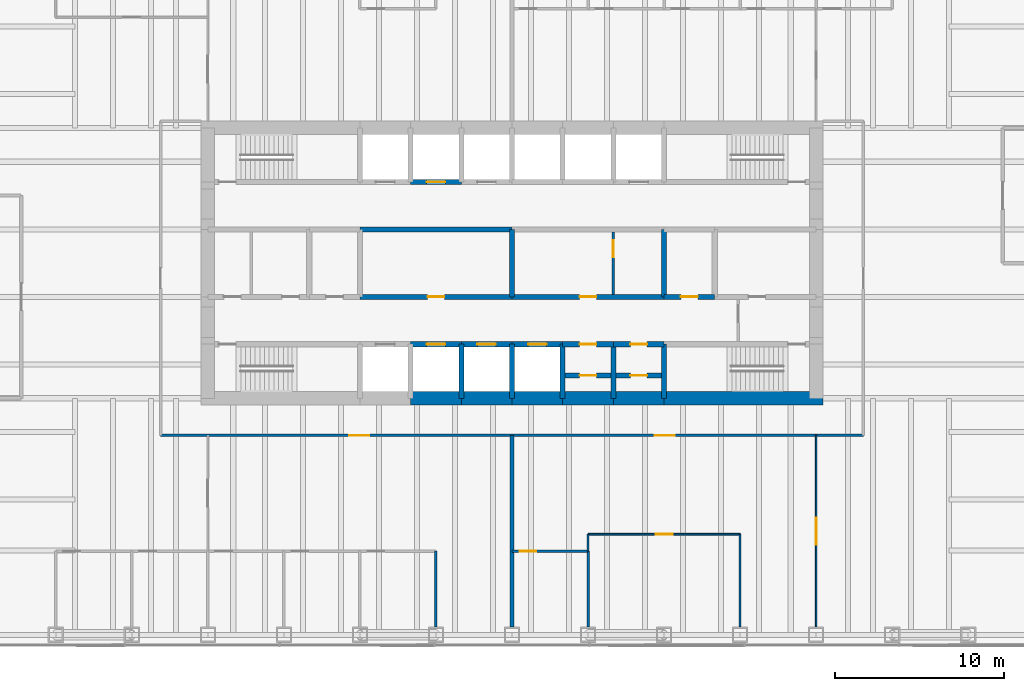
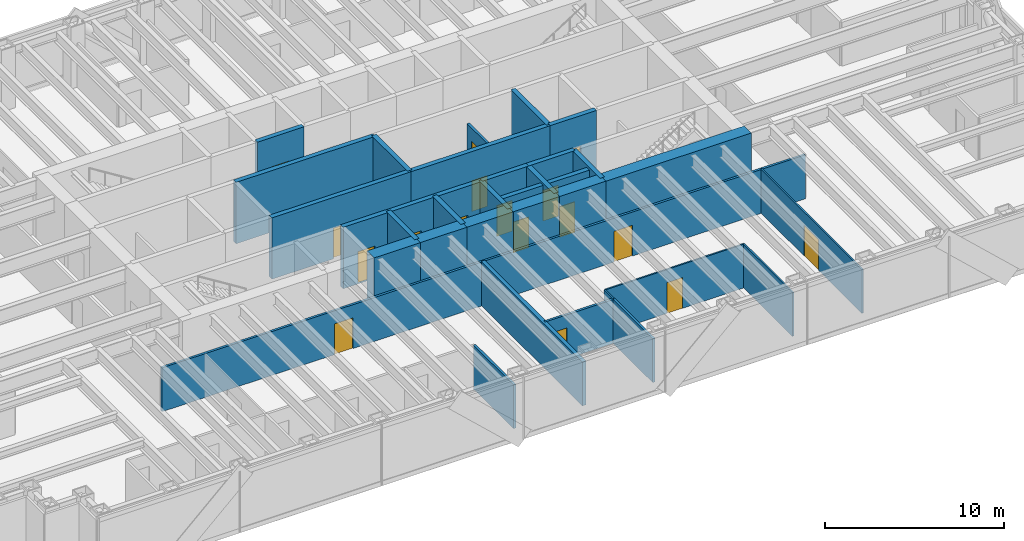
# One storey, part 12 of 15: 35 walls, 17 doors, 17 openings.
"""IFC4 building model written with IfcOpenShell, lengths in metres."""

from ifc_helpers import new_model, si_unit, direction, frame, frame_2d, origin, place, context, subcontext, project, spatial, rectangle, extrude, material, layer, layer_set, type_object, element, fill, save


model = new_model("IFC4")

# Units and contexts
model_context = context("Model", 3, precision=1e-05, world=origin(), true_north=direction((0.0, 1.0)))
body_context = subcontext(model_context, "Body", "Model", "MODEL_VIEW")
ifc_project = project(units=[si_unit("LENGTHUNIT", "METRE"), si_unit("AREAUNIT", "SQUARE_METRE"), si_unit("VOLUMEUNIT", "CUBIC_METRE"), si_unit("PLANEANGLEUNIT", "RADIAN"), si_unit("MASSUNIT", "GRAM", prefix="KILO")], contexts=[model_context])

# Site, building, storey
site_placement = place(None, origin())
site = spatial("IfcSite", under=ifc_project, at=site_placement, CompositionType="ELEMENT")
building_placement = place(site_placement, origin())
building = spatial("IfcBuilding", under=site, at=building_placement, Name="Rheinbord Bourse Tower", CompositionType="ELEMENT")
storey_placement = place(building_placement, frame((0.0, 0.0, 248.800048828125)))
storey = spatial("IfcBuildingStorey", under=building, at=storey_placement, Name="L56", CompositionType="ELEMENT", Elevation=248.800048828125)

# Wall, opening, door
ifc_material_1 = material(Name="Concrete C50/60", Category="concrete")
ifc_layer_1 = layer(ifc_material_1, 0.300048828125)
ifc_layer_set_1 = layer_set([ifc_layer_1], Name="CORE INNER WALL 300")
wall_type_1 = type_object("IfcWallType", Name="CORE INNER WALL 300", PredefinedType="SOLIDWALL", material=ifc_layer_set_1)
wall_1_placement = place(storey_placement, frame((30.0, 19.199951171875, 0.0), z_axis=(0.0, 0.0, 1.0), x_axis=(1.0, 0.0, 0.0)))
wall_1 = element("IfcWall", 1, at=wall_1_placement, inside=storey, type_object=wall_type_1, Name="Core wall A3 L56", PredefinedType="SOLIDWALL", context=body_context, shape_type="SweptSolid", body=[
    extrude(rectangle(XDim=3.0, YDim=0.300048828125, at=frame_2d((1.5, 0.0))), origin(), (0.0, 0.0, 1.0), 4.199951171875),
])
opening_1_placement = place(wall_1_placement, frame((0.949951171875, 0.0, 0.0)))
opening_1 = element("IfcOpeningElement", 2, at=opening_1_placement, cuts=wall_1, Name="Opening PC1", PredefinedType="OPENING", context=body_context, shape_type="SweptSolid", body=[
    extrude(rectangle(XDim=1.10009765625, YDim=2.199951171875, at=frame_2d((0.550048828125, 1.10009765625))), frame((0.0, 0.159912109375, 0.0), z_axis=(0.0, -1.0, 0.0), x_axis=(1.0, 0.0, 0.0)), (0.0, 0.0, 1.0), 0.320068359375),
])
ifc_material_2 = material(Name="Steel landing door", Category="steel")
door_type_1 = type_object("IfcDoorType", Name="LIFT LANDING DOOR 1100", OperationType="DOUBLE_DOOR_SLIDING", PredefinedType="USERDEFINED", material=ifc_material_2)
door_1_placement = place(opening_1_placement, origin())
door_1 = element("IfcDoor", 3, at=door_1_placement, inside=storey, type_object=door_type_1, Name="Lift landing door PC1 L56", ObjectType="LIFT LANDING DOOR", OperationType="DOUBLE_DOOR_SLIDING", OverallHeight=2.199951171875, OverallWidth=1.10009765625, PredefinedType="USERDEFINED", context=body_context, shape_type="SweptSolid", body=[
    extrude(rectangle(XDim=1.10009765625, YDim=2.199951171875, at=frame_2d((0.550048828125, 1.10009765625))), frame((0.0, 0.02490234375, 0.0), z_axis=(0.0, -1.0, 0.0), x_axis=(1.0, 0.0, 0.0)), (0.0, 0.0, 1.0), 0.050048828125),
])
fill(opening_1, door_1)

wall_2_placement = place(storey_placement, frame((33.0, 19.199951171875, 0.0), z_axis=(0.0, 0.0, 1.0), x_axis=(1.0, 0.0, 0.0)))
wall_2 = element("IfcWall", 4, at=wall_2_placement, inside=storey, type_object=wall_type_1, Name="Core wall A4 L56", PredefinedType="SOLIDWALL", context=body_context, shape_type="SweptSolid", body=[
    extrude(rectangle(XDim=3.0, YDim=0.300048828125, at=frame_2d((1.5, 0.0))), origin(), (0.0, 0.0, 1.0), 4.199951171875),
])
opening_2_placement = place(wall_2_placement, frame((0.949951171875, 0.0, 0.0)))
opening_2 = element("IfcOpeningElement", 5, at=opening_2_placement, cuts=wall_2, Name="Opening PC2", PredefinedType="OPENING", context=body_context, shape_type="SweptSolid", body=[
    extrude(rectangle(XDim=1.10009765625, YDim=2.199951171875, at=frame_2d((0.550048828125, 1.10009765625))), frame((0.0, 0.159912109375, 0.0), z_axis=(0.0, -1.0, 0.0), x_axis=(1.0, 0.0, 0.0)), (0.0, 0.0, 1.0), 0.320068359375),
])
door_2_placement = place(opening_2_placement, origin())
door_2 = element("IfcDoor", 6, at=door_2_placement, inside=storey, type_object=door_type_1, Name="Lift landing door PC2 L56", ObjectType="LIFT LANDING DOOR", OperationType="DOUBLE_DOOR_SLIDING", OverallHeight=2.199951171875, OverallWidth=1.10009765625, PredefinedType="USERDEFINED", context=body_context, shape_type="SweptSolid", body=[
    extrude(rectangle(XDim=1.10009765625, YDim=2.199951171875, at=frame_2d((0.550048828125, 1.10009765625))), frame((0.0, 0.02490234375, 0.0), z_axis=(0.0, -1.0, 0.0), x_axis=(1.0, 0.0, 0.0)), (0.0, 0.0, 1.0), 0.050048828125),
])
fill(opening_2, door_2)

wall_3_placement = place(storey_placement, frame((36.0, 19.199951171875, 0.0), z_axis=(0.0, 0.0, 1.0), x_axis=(1.0, 0.0, 0.0)))
wall_3 = element("IfcWall", 7, at=wall_3_placement, inside=storey, type_object=wall_type_1, Name="Core wall A5 L56", PredefinedType="SOLIDWALL", context=body_context, shape_type="SweptSolid", body=[
    extrude(rectangle(XDim=3.0, YDim=0.300048828125, at=frame_2d((1.5, 0.0))), origin(), (0.0, 0.0, 1.0), 4.199951171875),
])
opening_3_placement = place(wall_3_placement, frame((0.949951171875, 0.0, 0.0)))
opening_3 = element("IfcOpeningElement", 8, at=opening_3_placement, cuts=wall_3, Name="Opening PC3", PredefinedType="OPENING", context=body_context, shape_type="SweptSolid", body=[
    extrude(rectangle(XDim=1.10009765625, YDim=2.199951171875, at=frame_2d((0.550048828125, 1.10009765625))), frame((0.0, 0.159912109375, 0.0), z_axis=(0.0, -1.0, 0.0), x_axis=(1.0, 0.0, 0.0)), (0.0, 0.0, 1.0), 0.320068359375),
])
door_3_placement = place(opening_3_placement, origin())
door_3 = element("IfcDoor", 9, at=door_3_placement, inside=storey, type_object=door_type_1, Name="Lift landing door PC3 L56", ObjectType="LIFT LANDING DOOR", OperationType="DOUBLE_DOOR_SLIDING", OverallHeight=2.199951171875, OverallWidth=1.10009765625, PredefinedType="USERDEFINED", context=body_context, shape_type="SweptSolid", body=[
    extrude(rectangle(XDim=1.10009765625, YDim=2.199951171875, at=frame_2d((0.550048828125, 1.10009765625))), frame((0.0, 0.02490234375, 0.0), z_axis=(0.0, -1.0, 0.0), x_axis=(1.0, 0.0, 0.0)), (0.0, 0.0, 1.0), 0.050048828125),
])
fill(opening_3, door_3)

wall_4_placement = place(storey_placement, frame((39.0, 19.199951171875, 0.0), z_axis=(0.0, 0.0, 1.0), x_axis=(1.0, 0.0, 0.0)))
wall_4 = element("IfcWall", 10, at=wall_4_placement, inside=storey, type_object=wall_type_1, Name="Core wall A6 L56", PredefinedType="SOLIDWALL", context=body_context, shape_type="SweptSolid", body=[
    extrude(rectangle(XDim=3.0, YDim=0.300048828125, at=frame_2d((1.5, 0.0))), origin(), (0.0, 0.0, 1.0), 4.199951171875),
])
opening_4_placement = place(wall_4_placement, frame((1.0, 0.0, 0.0)))
opening_4 = element("IfcOpeningElement", 11, at=opening_4_placement, cuts=wall_4, Name="Opening 56R8", PredefinedType="OPENING", context=body_context, shape_type="SweptSolid", body=[
    extrude(rectangle(XDim=1.0, YDim=2.10009765625, at=frame_2d((0.5, 1.050048828125))), frame((0.0, 0.159912109375, 0.0), z_axis=(0.0, -1.0, 0.0), x_axis=(1.0, 0.0, 0.0)), (0.0, 0.0, 1.0), 0.320068359375),
])
ifc_material_3 = material(Name="Steel door", Category="steel")
door_type_2 = type_object("IfcDoorType", Name="DOOR 1000 EI30", OperationType="SINGLE_SWING_LEFT", PredefinedType="DOOR", material=ifc_material_3)
door_4_placement = place(opening_4_placement, origin())
door_4 = element("IfcDoor", 12, at=door_4_placement, inside=storey, type_object=door_type_2, Name="Cleaner's store door L56", OperationType="SINGLE_SWING_LEFT", OverallHeight=2.10009765625, OverallWidth=1.0, PredefinedType="DOOR", context=body_context, shape_type="SweptSolid", body=[
    extrude(rectangle(XDim=1.0, YDim=2.10009765625, at=frame_2d((0.5, 1.050048828125))), frame((0.0, 0.02490234375, 0.0), z_axis=(0.0, -1.0, 0.0), x_axis=(1.0, 0.0, 0.0)), (0.0, 0.0, 1.0), 0.050048828125),
])
fill(opening_4, door_4)

wall_5_placement = place(storey_placement, frame((42.0, 19.199951171875, 0.0), z_axis=(0.0, 0.0, 1.0), x_axis=(1.0, 0.0, 0.0)))
wall_5 = element("IfcWall", 13, at=wall_5_placement, inside=storey, type_object=wall_type_1, Name="Core wall A7 L56", PredefinedType="SOLIDWALL", context=body_context, shape_type="SweptSolid", body=[
    extrude(rectangle(XDim=3.0, YDim=0.300048828125, at=frame_2d((1.5, 0.0))), origin(), (0.0, 0.0, 1.0), 4.199951171875),
])
opening_5_placement = place(wall_5_placement, frame((1.0, 0.0, 0.0)))
opening_5 = element("IfcOpeningElement", 14, at=opening_5_placement, cuts=wall_5, Name="Opening 56R9", PredefinedType="OPENING", context=body_context, shape_type="SweptSolid", body=[
    extrude(rectangle(XDim=1.0, YDim=2.10009765625, at=frame_2d((0.5, 1.050048828125))), frame((0.0, 0.159912109375, 0.0), z_axis=(0.0, -1.0, 0.0), x_axis=(1.0, 0.0, 0.0)), (0.0, 0.0, 1.0), 0.320068359375),
])
door_5_placement = place(opening_5_placement, origin())
door_5 = element("IfcDoor", 15, at=door_5_placement, inside=storey, type_object=door_type_2, Name="Pantry door L56", OperationType="SINGLE_SWING_LEFT", OverallHeight=2.10009765625, OverallWidth=1.0, PredefinedType="DOOR", context=body_context, shape_type="SweptSolid", body=[
    extrude(rectangle(XDim=1.0, YDim=2.10009765625, at=frame_2d((0.5, 1.050048828125))), frame((0.0, 0.02490234375, 0.0), z_axis=(0.0, -1.0, 0.0), x_axis=(1.0, 0.0, 0.0)), (0.0, 0.0, 1.0), 0.050048828125),
])
fill(opening_5, door_5)

wall_6_placement = place(storey_placement, frame((30.0, 28.800048828125, 0.0), z_axis=(0.0, 0.0, 1.0), x_axis=(1.0, 0.0, 0.0)))
wall_6 = element("IfcWall", 16, at=wall_6_placement, inside=storey, type_object=wall_type_1, Name="Core wall B3 L56", PredefinedType="SOLIDWALL", context=body_context, shape_type="SweptSolid", body=[
    extrude(rectangle(XDim=3.0, YDim=0.300048828125, at=frame_2d((1.5, 0.0))), origin(), (0.0, 0.0, 1.0), 4.199951171875),
])
opening_6_placement = place(wall_6_placement, frame((0.949951171875, 0.0, 0.0)))
opening_6 = element("IfcOpeningElement", 17, at=opening_6_placement, cuts=wall_6, Name="Opening PC4", PredefinedType="OPENING", context=body_context, shape_type="SweptSolid", body=[
    extrude(rectangle(XDim=1.10009765625, YDim=2.199951171875, at=frame_2d((0.550048828125, 1.10009765625))), frame((0.0, 0.159912109375, 0.0), z_axis=(0.0, -1.0, 0.0), x_axis=(1.0, 0.0, 0.0)), (0.0, 0.0, 1.0), 0.320068359375),
])
door_6_placement = place(opening_6_placement, origin())
door_6 = element("IfcDoor", 18, at=door_6_placement, inside=storey, type_object=door_type_1, Name="Lift landing door PC4 L56", ObjectType="LIFT LANDING DOOR", OperationType="DOUBLE_DOOR_SLIDING", OverallHeight=2.199951171875, OverallWidth=1.10009765625, PredefinedType="USERDEFINED", context=body_context, shape_type="SweptSolid", body=[
    extrude(rectangle(XDim=1.10009765625, YDim=2.199951171875, at=frame_2d((0.550048828125, 1.10009765625))), frame((0.0, 0.02490234375, 0.0), z_axis=(0.0, -1.0, 0.0), x_axis=(1.0, 0.0, 0.0)), (0.0, 0.0, 1.0), 0.050048828125),
])
fill(opening_6, door_6)

wall_7_placement = place(storey_placement, frame((27.0, 22.0, 0.0), z_axis=(0.0, 0.0, 1.0), x_axis=(1.0, 0.0, 0.0)))
wall_7 = element("IfcWall", 19, at=wall_7_placement, inside=storey, type_object=wall_type_1, Name="Core wall C3 L56", PredefinedType="SOLIDWALL", context=body_context, shape_type="SweptSolid", body=[
    extrude(rectangle(XDim=9.0, YDim=0.300048828125, at=frame_2d((4.5, 0.0))), origin(), (0.0, 0.0, 1.0), 4.199951171875),
])
opening_7_placement = place(wall_7_placement, frame((4.0, 0.0, 0.0)))
opening_7 = element("IfcOpeningElement", 20, at=opening_7_placement, cuts=wall_7, Name="Opening 56R3", PredefinedType="OPENING", context=body_context, shape_type="SweptSolid", body=[
    extrude(rectangle(XDim=1.0, YDim=2.10009765625, at=frame_2d((0.5, 1.050048828125))), frame((0.0, 0.159912109375, 0.0), z_axis=(0.0, -1.0, 0.0), x_axis=(1.0, 0.0, 0.0)), (0.0, 0.0, 1.0), 0.320068359375),
])
door_7_placement = place(opening_7_placement, origin())
door_7 = element("IfcDoor", 21, at=door_7_placement, inside=storey, type_object=door_type_2, Name="Riser door L56", OperationType="SINGLE_SWING_LEFT", OverallHeight=2.10009765625, OverallWidth=1.0, PredefinedType="DOOR", context=body_context, shape_type="SweptSolid", body=[
    extrude(rectangle(XDim=1.0, YDim=2.10009765625, at=frame_2d((0.5, 1.050048828125))), frame((0.0, 0.02490234375, 0.0), z_axis=(0.0, -1.0, 0.0), x_axis=(1.0, 0.0, 0.0)), (0.0, 0.0, 1.0), 0.050048828125),
])
fill(opening_7, door_7)

wall_8_placement = place(storey_placement, frame((36.0, 22.0, 0.0), z_axis=(0.0, 0.0, 1.0), x_axis=(1.0, 0.0, 0.0)))
wall_8 = element("IfcWall", 22, at=wall_8_placement, inside=storey, type_object=wall_type_1, Name="Core wall C4 L56", PredefinedType="SOLIDWALL", context=body_context, shape_type="SweptSolid", body=[
    extrude(rectangle(XDim=9.0, YDim=0.300048828125, at=frame_2d((4.5, 0.0))), origin(), (0.0, 0.0, 1.0), 4.199951171875),
])
opening_8_placement = place(wall_8_placement, frame((4.0, 0.0, 0.0)))
opening_8 = element("IfcOpeningElement", 23, at=opening_8_placement, cuts=wall_8, Name="Opening 56R4", PredefinedType="OPENING", context=body_context, shape_type="SweptSolid", body=[
    extrude(rectangle(XDim=1.0, YDim=2.10009765625, at=frame_2d((0.5, 1.050048828125))), frame((0.0, 0.159912109375, 0.0), z_axis=(0.0, -1.0, 0.0), x_axis=(1.0, 0.0, 0.0)), (0.0, 0.0, 1.0), 0.320068359375),
])
door_8_placement = place(opening_8_placement, origin())
door_8 = element("IfcDoor", 24, at=door_8_placement, inside=storey, type_object=door_type_2, Name="IT room door L56", OperationType="SINGLE_SWING_LEFT", OverallHeight=2.10009765625, OverallWidth=1.0, PredefinedType="DOOR", context=body_context, shape_type="SweptSolid", body=[
    extrude(rectangle(XDim=1.0, YDim=2.10009765625, at=frame_2d((0.5, 1.050048828125))), frame((0.0, 0.02490234375, 0.0), z_axis=(0.0, -1.0, 0.0), x_axis=(1.0, 0.0, 0.0)), (0.0, 0.0, 1.0), 0.050048828125),
])
fill(opening_8, door_8)

wall_9_placement = place(storey_placement, frame((45.0, 22.0, 0.0), z_axis=(0.0, 0.0, 1.0), x_axis=(1.0, 0.0, 0.0)))
wall_9 = element("IfcWall", 25, at=wall_9_placement, inside=storey, type_object=wall_type_1, Name="Core wall C5 L56", PredefinedType="SOLIDWALL", context=body_context, shape_type="SweptSolid", body=[
    extrude(rectangle(XDim=3.0, YDim=0.300048828125, at=frame_2d((1.5, 0.0))), origin(), (0.0, 0.0, 1.0), 4.199951171875),
])
opening_9_placement = place(wall_9_placement, frame((1.0, 0.0, 0.0)))
opening_9 = element("IfcOpeningElement", 26, at=opening_9_placement, cuts=wall_9, Name="Opening 56R5", PredefinedType="OPENING", context=body_context, shape_type="SweptSolid", body=[
    extrude(rectangle(XDim=1.0, YDim=2.10009765625, at=frame_2d((0.5, 1.050048828125))), frame((0.0, 0.159912109375, 0.0), z_axis=(0.0, -1.0, 0.0), x_axis=(1.0, 0.0, 0.0)), (0.0, 0.0, 1.0), 0.320068359375),
])
ifc_material_4 = material(Name="Timber door", Category="wood")
door_type_3 = type_object("IfcDoorType", Name="DOOR 1000 WC", OperationType="SINGLE_SWING_LEFT", PredefinedType="DOOR", material=ifc_material_4)
door_9_placement = place(opening_9_placement, origin())
door_9 = element("IfcDoor", 27, at=door_9_placement, inside=storey, type_object=door_type_3, Name="Accessible WC door L56", OperationType="SINGLE_SWING_LEFT", OverallHeight=2.10009765625, OverallWidth=1.0, PredefinedType="DOOR", context=body_context, shape_type="SweptSolid", body=[
    extrude(rectangle(XDim=1.0, YDim=2.10009765625, at=frame_2d((0.5, 1.050048828125))), frame((0.0, 0.02490234375, 0.0), z_axis=(0.0, -1.0, 0.0), x_axis=(1.0, 0.0, 0.0)), (0.0, 0.0, 1.0), 0.050048828125),
])
fill(opening_9, door_9)

# Walls
wall_10_placement = place(storey_placement, frame((27.0, 26.0, 0.0), z_axis=(0.0, 0.0, 1.0), x_axis=(1.0, 0.0, 0.0)))
element("IfcWall", 28, at=wall_10_placement, inside=storey, type_object=wall_type_1, Name="Core wall D3 L56", PredefinedType="SOLIDWALL", context=body_context, shape_type="SweptSolid", body=[
    extrude(rectangle(XDim=9.0, YDim=0.300048828125, at=frame_2d((4.5, 0.0))), origin(), (0.0, 0.0, 1.0), 4.199951171875),
])
for number, where, z_axis, x_axis, name in (
    (29, (33.0, 16.0, 0.0), (0.0, 0.0, 1.0), (0.0, 1.0, 0.0), "Core wall SX33 L56"),
    (30, (36.0, 16.0, 0.0), (0.0, 0.0, 1.0), (0.0, 1.0, 0.0), "Core wall SX36 L56"),
    (31, (39.0, 16.0, 0.0), (0.0, 0.0, 1.0), (0.0, 1.0, 0.0), "Core wall SX39 L56"),
    (32, (42.0, 16.0, 0.0), (0.0, 0.0, 1.0), (0.0, 1.0, 0.0), "Core wall SX42 L56"),
    (33, (45.0, 16.0, 0.0), (0.0, 0.0, 1.0), (0.0, 1.0, 0.0), "Core wall SX45 L56"),
):
    element("IfcWall", number, at=place(storey_placement, frame(where, z_axis=z_axis, x_axis=x_axis)), inside=storey, type_object=wall_type_1, Name=name, PredefinedType="SOLIDWALL", context=body_context, shape_type="SweptSolid", body=[
        extrude(rectangle(XDim=3.199951171875, YDim=0.300048828125, at=frame_2d((1.60009765625, 0.0))), origin(), (0.0, 0.0, 1.0), 4.199951171875),
    ])
for number, where, z_axis, x_axis, name in (
    (34, (36.0, 22.0, 0.0), (0.0, 0.0, 1.0), (0.0, 1.0, 0.0), "Core wall MX36 L56"),
    (35, (45.0, 22.0, 0.0), (0.0, 0.0, 1.0), (0.0, 1.0, 0.0), "Core wall MX45 L56"),
):
    element("IfcWall", number, at=place(storey_placement, frame(where, z_axis=z_axis, x_axis=x_axis)), inside=storey, type_object=wall_type_1, Name=name, PredefinedType="SOLIDWALL", context=body_context, shape_type="SweptSolid", body=[
        extrude(rectangle(XDim=4.0, YDim=0.300048828125, at=frame_2d((2.0, 0.0))), origin(), (0.0, 0.0, 1.0), 4.199951171875),
    ])

# Wall, opening, door
wall_11_placement = place(storey_placement, frame((39.14990234375, 17.35009765625, 0.0), z_axis=(0.0, 0.0, 1.0), x_axis=(1.0, 0.0, 0.0)))
wall_11 = element("IfcWall", 36, at=wall_11_placement, inside=storey, type_object=wall_type_1, Name="Core riser wall L56-6", PredefinedType="SOLIDWALL", context=body_context, shape_type="SweptSolid", body=[
    extrude(rectangle(XDim=2.7001953125, YDim=0.300048828125, at=frame_2d((1.35009765625, 0.0))), origin(), (0.0, 0.0, 1.0), 4.0400390625),
])
opening_10_placement = place(wall_11_placement, frame((0.85009765625, 0.0, 0.0)))
opening_10 = element("IfcOpeningElement", 37, at=opening_10_placement, cuts=wall_11, Name="Opening 56R12", PredefinedType="OPENING", context=body_context, shape_type="SweptSolid", body=[
    extrude(rectangle(XDim=1.0, YDim=2.10009765625, at=frame_2d((0.5, 1.050048828125))), frame((0.0, 0.159912109375, 0.0), z_axis=(0.0, -1.0, 0.0), x_axis=(1.0, 0.0, 0.0)), (0.0, 0.0, 1.0), 0.320068359375),
])
door_10_placement = place(opening_10_placement, origin())
door_10 = element("IfcDoor", 38, at=door_10_placement, inside=storey, type_object=door_type_2, Name="Comms riser door L56", OperationType="SINGLE_SWING_LEFT", OverallHeight=2.10009765625, OverallWidth=1.0, PredefinedType="DOOR", context=body_context, shape_type="SweptSolid", body=[
    extrude(rectangle(XDim=1.0, YDim=2.10009765625, at=frame_2d((0.5, 1.050048828125))), frame((0.0, 0.02490234375, 0.0), z_axis=(0.0, -1.0, 0.0), x_axis=(1.0, 0.0, 0.0)), (0.0, 0.0, 1.0), 0.050048828125),
])
fill(opening_10, door_10)

wall_12_placement = place(storey_placement, frame((42.14990234375, 17.35009765625, 0.0), z_axis=(0.0, 0.0, 1.0), x_axis=(1.0, 0.0, 0.0)))
wall_12 = element("IfcWall", 39, at=wall_12_placement, inside=storey, type_object=wall_type_1, Name="Core riser wall L56-7", PredefinedType="SOLIDWALL", context=body_context, shape_type="SweptSolid", body=[
    extrude(rectangle(XDim=2.7001953125, YDim=0.300048828125, at=frame_2d((1.35009765625, 0.0))), origin(), (0.0, 0.0, 1.0), 4.0400390625),
])
opening_11_placement = place(wall_12_placement, frame((0.85009765625, 0.0, 0.0)))
opening_11 = element("IfcOpeningElement", 40, at=opening_11_placement, cuts=wall_12, Name="Opening 56R13", PredefinedType="OPENING", context=body_context, shape_type="SweptSolid", body=[
    extrude(rectangle(XDim=1.0, YDim=2.10009765625, at=frame_2d((0.5, 1.050048828125))), frame((0.0, 0.159912109375, 0.0), z_axis=(0.0, -1.0, 0.0), x_axis=(1.0, 0.0, 0.0)), (0.0, 0.0, 1.0), 0.320068359375),
])
door_11_placement = place(opening_11_placement, origin())
door_11 = element("IfcDoor", 41, at=door_11_placement, inside=storey, type_object=door_type_2, Name="Electrical riser door L56", OperationType="SINGLE_SWING_LEFT", OverallHeight=2.10009765625, OverallWidth=1.0, PredefinedType="DOOR", context=body_context, shape_type="SweptSolid", body=[
    extrude(rectangle(XDim=1.0, YDim=2.10009765625, at=frame_2d((0.5, 1.050048828125))), frame((0.0, 0.02490234375, 0.0), z_axis=(0.0, -1.0, 0.0), x_axis=(1.0, 0.0, 0.0)), (0.0, 0.0, 1.0), 0.050048828125),
])
fill(opening_11, door_11)

ifc_material_5 = material(Name="Gypsum board fire partition", Category="gypsum board")
ifc_layer_2 = layer(ifc_material_5, 0.14990234375)
ifc_layer_set_2 = layer_set([ifc_layer_2], Name="CORE PARTITION 150 EI30")
wall_type_2 = type_object("IfcWallType", Name="CORE PARTITION 150 EI30", PredefinedType="PARTITIONING", material=ifc_layer_set_2)
wall_13_placement = place(storey_placement, frame((42.0, 22.14990234375, 0.0), z_axis=(0.0, 0.0, 1.0), x_axis=(0.0, 1.0, 0.0)))
wall_13 = element("IfcWall", 42, at=wall_13_placement, inside=storey, type_object=wall_type_2, Name="Core partition L56-1", PredefinedType="PARTITIONING", context=body_context, shape_type="SweptSolid", body=[
    extrude(rectangle(XDim=3.7001953125, YDim=0.14990234375, at=frame_2d((1.85009765625, 0.0))), origin(), (0.0, 0.0, 1.0), 3.0),
])
opening_12_placement = place(wall_13_placement, frame((2.199951171875, 0.0, 0.0)))
opening_12 = element("IfcOpeningElement", 43, at=opening_12_placement, cuts=wall_13, Name="Opening 56R7", PredefinedType="OPENING", context=body_context, shape_type="SweptSolid", body=[
    extrude(rectangle(XDim=1.0, YDim=2.10009765625, at=frame_2d((0.5, 1.050048828125))), frame((0.0, 0.0849609375, 0.0), z_axis=(0.0, -1.0, 0.0), x_axis=(1.0, 0.0, 0.0)), (0.0, 0.0, 1.0), 0.169921875),
])
door_12_placement = place(opening_12_placement, origin())
door_12 = element("IfcDoor", 44, at=door_12_placement, inside=storey, type_object=door_type_2, Name="Store door L56", OperationType="SINGLE_SWING_RIGHT", OverallHeight=2.10009765625, OverallWidth=1.0, PredefinedType="DOOR", context=body_context, shape_type="SweptSolid", body=[
    extrude(rectangle(XDim=1.0, YDim=2.10009765625, at=frame_2d((0.5, 1.050048828125))), frame((0.0, 0.02490234375, 0.0), z_axis=(0.0, -1.0, 0.0), x_axis=(1.0, 0.0, 0.0)), (0.0, 0.0, 1.0), 0.050048828125),
])
fill(opening_12, door_12)

# Walls
ifc_material_6 = material(Name="Concrete C50/60", Category="concrete")
ifc_layer_3 = layer(ifc_material_6, 0.800048828125)
ifc_layer_set_3 = layer_set([ifc_layer_3], Name="CORE WALL 800")
wall_type_3 = type_object("IfcWallType", Name="CORE WALL 800", PredefinedType="SHEAR", material=ifc_layer_set_3)
for number, where, z_axis, x_axis, name in (
    (45, (30.0, 16.0, 0.0), (0.0, 0.0, 1.0), (1.0, 0.0, 0.0), "Core wall S3 L56"),
    (46, (33.0, 16.0, 0.0), (0.0, 0.0, 1.0), (1.0, 0.0, 0.0), "Core wall S4 L56"),
    (47, (36.0, 16.0, 0.0), (0.0, 0.0, 1.0), (1.0, 0.0, 0.0), "Core wall S5 L56"),
    (48, (39.0, 16.0, 0.0), (0.0, 0.0, 1.0), (1.0, 0.0, 0.0), "Core wall S6 L56"),
    (49, (42.0, 16.0, 0.0), (0.0, 0.0, 1.0), (1.0, 0.0, 0.0), "Core wall S7 L56"),
):
    element("IfcWall", number, at=place(storey_placement, frame(where, z_axis=z_axis, x_axis=x_axis)), inside=storey, type_object=wall_type_3, Name=name, PredefinedType="SHEAR", context=body_context, shape_type="SweptSolid", body=[
        extrude(rectangle(XDim=3.0, YDim=0.800048828125, at=frame_2d((1.5, 0.0))), origin(), (0.0, 0.0, 1.0), 4.199951171875),
    ])
wall_14_placement = place(storey_placement, frame((45.0, 16.0, 0.0), z_axis=(0.0, 0.0, 1.0), x_axis=(1.0, 0.0, 0.0)))
element("IfcWall", 50, at=wall_14_placement, inside=storey, type_object=wall_type_3, Name="Core wall S8 L56", PredefinedType="SHEAR", context=body_context, shape_type="SweptSolid", body=[
    extrude(rectangle(XDim=9.39990234375, YDim=0.800048828125, at=frame_2d((4.699951171875, 0.0))), origin(), (0.0, 0.0, 1.0), 4.199951171875),
])

# Wall, openings, doors
ifc_material_7 = material(Name="Gypsum board corridor partition", Category="gypsum board")
ifc_layer_4 = layer(ifc_material_7, 0.14990234375)
ifc_layer_set_4 = layer_set([ifc_layer_4], Name="CORRIDOR PARTITION 150 EI30")
wall_type_4 = type_object("IfcWallType", Name="CORRIDOR PARTITION 150 EI30", PredefinedType="PARTITIONING", material=ifc_layer_set_4)
wall_15_placement = place(storey_placement, frame((15.199951171875, 13.800048828125, 0.0), z_axis=(0.0, 0.0, 1.0), x_axis=(1.0, 0.0, 0.0)))
wall_15 = element("IfcWall", 51, at=wall_15_placement, inside=storey, type_object=wall_type_4, Name="Partition L56-05", PredefinedType="PARTITIONING", context=body_context, shape_type="SweptSolid", body=[
    extrude(rectangle(XDim=41.60009765625, YDim=0.14990234375, at=frame_2d((20.800048828125, 0.0))), origin(), (0.0, 0.0, 1.0), 3.0),
])
opening_13_placement = place(wall_15_placement, frame((11.1630859375, 0.0, 0.0)))
opening_13 = element("IfcOpeningElement", 52, at=opening_13_placement, cuts=wall_15, Name="Opening 56D26", PredefinedType="OPENING", context=body_context, shape_type="SweptSolid", body=[
    extrude(rectangle(XDim=1.199951171875, YDim=2.10009765625, at=frame_2d((0.60009765625, 1.050048828125))), frame((0.0, 0.0849609375, 0.0), z_axis=(0.0, -1.0, 0.0), x_axis=(1.0, 0.0, 0.0)), (0.0, 0.0, 1.0), 0.169921875),
])
opening_14_placement = place(wall_15_placement, frame((29.237060546875, 0.0, 0.0)))
opening_14 = element("IfcOpeningElement", 53, at=opening_14_placement, cuts=wall_15, Name="Opening 56D27", PredefinedType="OPENING", context=body_context, shape_type="SweptSolid", body=[
    extrude(rectangle(XDim=1.199951171875, YDim=2.10009765625, at=frame_2d((0.60009765625, 1.050048828125))), frame((0.0, 0.0849609375, 0.0), z_axis=(0.0, -1.0, 0.0), x_axis=(1.0, 0.0, 0.0)), (0.0, 0.0, 1.0), 0.169921875),
])
ifc_material_8 = material(Name="Timber fire door", Category="wood")
door_type_4 = type_object("IfcDoorType", Name="SUITE ENTRANCE DOOR 1200 EI30", OperationType="SINGLE_SWING_LEFT", PredefinedType="DOOR", material=ifc_material_8)
door_13_placement = place(opening_13_placement, origin())
door_13 = element("IfcDoor", 54, at=door_13_placement, inside=storey, type_object=door_type_4, Name="Suite entrance 3 door L56", OperationType="SINGLE_SWING_LEFT", OverallHeight=2.10009765625, OverallWidth=1.199951171875, PredefinedType="DOOR", context=body_context, shape_type="SweptSolid", body=[
    extrude(rectangle(XDim=1.199951171875, YDim=2.10009765625, at=frame_2d((0.60009765625, 1.050048828125))), frame((0.0, 0.02490234375, 0.0), z_axis=(0.0, -1.0, 0.0), x_axis=(1.0, 0.0, 0.0)), (0.0, 0.0, 1.0), 0.050048828125),
])
fill(opening_13, door_13)
door_14_placement = place(opening_14_placement, origin())
door_14 = element("IfcDoor", 55, at=door_14_placement, inside=storey, type_object=door_type_4, Name="Suite entrance 4 door L56", OperationType="SINGLE_SWING_RIGHT", OverallHeight=2.10009765625, OverallWidth=1.199951171875, PredefinedType="DOOR", context=body_context, shape_type="SweptSolid", body=[
    extrude(rectangle(XDim=1.199951171875, YDim=2.10009765625, at=frame_2d((0.60009765625, 1.050048828125))), frame((0.0, 0.02490234375, 0.0), z_axis=(0.0, -1.0, 0.0), x_axis=(1.0, 0.0, 0.0)), (0.0, 0.0, 1.0), 0.050048828125),
])
fill(opening_14, door_14)

# Wall
ifc_material_9 = material(Name="Gypsum board tenancy wall", Category="gypsum board")
ifc_layer_5 = layer(ifc_material_9, 0.25)
ifc_layer_set_5 = layer_set([ifc_layer_5], Name="DEMISING PARTITION 250 EI60")
wall_type_5 = type_object("IfcWallType", Name="DEMISING PARTITION 250 EI60", PredefinedType="PARTITIONING", material=ifc_layer_set_5)
wall_16_placement = place(storey_placement, frame((36.0, 2.449951171875, 0.0), z_axis=(0.0, 0.0, 1.0), x_axis=(0.0, 1.0, 0.0)))
element("IfcWall", 56, at=wall_16_placement, inside=storey, type_object=wall_type_5, Name="Partition L56-33", PredefinedType="PARTITIONING", context=body_context, shape_type="SweptSolid", body=[
    extrude(rectangle(XDim=11.35009765625, YDim=0.25, at=frame_2d((5.675048828125, 0.0))), origin(), (0.0, 0.0, 1.0), 3.0),
])

# Wall, opening, door
ifc_material_10 = material(Name="Toughened laminated glass partition", Category="glass")
ifc_layer_6 = layer(ifc_material_10, 0.10009765625)
ifc_layer_set_6 = layer_set([ifc_layer_6], Name="GLAZED PARTITION 100")
wall_type_6 = type_object("IfcWallType", Name="GLAZED PARTITION 100", PredefinedType="PARTITIONING", material=ifc_layer_set_6)
wall_17_placement = place(storey_placement, frame((40.5, 7.949951171875, 0.0), z_axis=(0.0, 0.0, 1.0), x_axis=(1.0, 0.0, 0.0)))
wall_17 = element("IfcWall", 57, at=wall_17_placement, inside=storey, type_object=wall_type_6, Name="Partition L56-03", PredefinedType="PARTITIONING", context=body_context, shape_type="SweptSolid", body=[
    extrude(rectangle(XDim=9.0, YDim=0.10009765625, at=frame_2d((4.5, 0.0))), origin(), (0.0, 0.0, 1.0), 3.0),
])
opening_15_placement = place(wall_17_placement, frame((4.0, 0.0, 0.0)))
opening_15 = element("IfcOpeningElement", 58, at=opening_15_placement, cuts=wall_17, Name="Opening 56D07", PredefinedType="OPENING", context=body_context, shape_type="SweptSolid", body=[
    extrude(rectangle(XDim=1.0, YDim=2.10009765625, at=frame_2d((0.5, 1.050048828125))), frame((0.0, 0.06005859375, 0.0), z_axis=(0.0, -1.0, 0.0), x_axis=(1.0, 0.0, 0.0)), (0.0, 0.0, 1.0), 0.1201171875),
])
ifc_material_11 = material(Name="Timber door", Category="wood")
door_type_5 = type_object("IfcDoorType", Name="ROOM DOOR 1000", OperationType="SINGLE_SWING_LEFT", PredefinedType="DOOR", material=ifc_material_11)
door_15_placement = place(opening_15_placement, origin())
door_15 = element("IfcDoor", 59, at=door_15_placement, inside=storey, type_object=door_type_5, Name="Meeting room door L56", OperationType="SINGLE_SWING_LEFT", OverallHeight=2.10009765625, OverallWidth=1.0, PredefinedType="DOOR", context=body_context, shape_type="SweptSolid", body=[
    extrude(rectangle(XDim=1.0, YDim=2.10009765625, at=frame_2d((0.5, 1.050048828125))), frame((0.0, 0.02490234375, 0.0), z_axis=(0.0, -1.0, 0.0), x_axis=(1.0, 0.0, 0.0)), (0.0, 0.0, 1.0), 0.050048828125),
])
fill(opening_15, door_15)

# Walls
wall_18_placement = place(storey_placement, frame((40.5, 6.949951171875, 0.0), z_axis=(0.0, 0.0, 1.0), x_axis=(0.0, 1.0, 0.0)))
element("IfcWall", 60, at=wall_18_placement, inside=storey, type_object=wall_type_6, Name="Partition L56-36", PredefinedType="PARTITIONING", context=body_context, shape_type="SweptSolid", body=[
    extrude(rectangle(XDim=1.0, YDim=0.10009765625, at=frame_2d((0.5, 0.0))), origin(), (0.0, 0.0, 1.0), 3.0),
])
wall_19_placement = place(storey_placement, frame((49.5, 2.449951171875, 0.0), z_axis=(0.0, 0.0, 1.0), x_axis=(0.0, 1.0, 0.0)))
element("IfcWall", 61, at=wall_19_placement, inside=storey, type_object=wall_type_6, Name="Partition L56-39", PredefinedType="PARTITIONING", context=body_context, shape_type="SweptSolid", body=[
    extrude(rectangle(XDim=5.5, YDim=0.10009765625, at=frame_2d((2.75, 0.0))), origin(), (0.0, 0.0, 1.0), 3.0),
])

# Wall, opening, door
wall_20_placement = place(storey_placement, frame((54.0, 2.449951171875, 0.0), z_axis=(0.0, 0.0, 1.0), x_axis=(0.0, 1.0, 0.0)))
wall_20 = element("IfcWall", 62, at=wall_20_placement, inside=storey, type_object=wall_type_6, Name="Partition L56-41", PredefinedType="PARTITIONING", context=body_context, shape_type="SweptSolid", body=[
    extrude(rectangle(XDim=11.35009765625, YDim=0.10009765625, at=frame_2d((5.675048828125, 0.0))), origin(), (0.0, 0.0, 1.0), 3.0),
])
opening_16_placement = place(wall_20_placement, frame((4.875, 0.0, 0.0)))
opening_16 = element("IfcOpeningElement", 63, at=opening_16_placement, cuts=wall_20, Name="Opening 56D22", PredefinedType="OPENING", context=body_context, shape_type="SweptSolid", body=[
    extrude(rectangle(XDim=1.60009765625, YDim=2.10009765625, at=frame_2d((0.800048828125, 1.050048828125))), frame((0.0, 0.06005859375, 0.0), z_axis=(0.0, -1.0, 0.0), x_axis=(1.0, 0.0, 0.0)), (0.0, 0.0, 1.0), 0.1201171875),
])
ifc_material_12 = material(Name="Timber door", Category="wood")
door_type_6 = type_object("IfcDoorType", Name="DOUBLE ROOM DOOR 1600", OperationType="DOUBLE_DOOR_DOUBLE_SWING", PredefinedType="DOOR", material=ifc_material_12)
door_16_placement = place(opening_16_placement, origin())
door_16 = element("IfcDoor", 64, at=door_16_placement, inside=storey, type_object=door_type_6, Name="Open area door L56", OperationType="SINGLE_SWING_LEFT", OverallHeight=2.10009765625, OverallWidth=1.60009765625, PredefinedType="DOOR", context=body_context, shape_type="SweptSolid", body=[
    extrude(rectangle(XDim=1.60009765625, YDim=2.10009765625, at=frame_2d((0.800048828125, 1.050048828125))), frame((0.0, 0.02490234375, 0.0), z_axis=(0.0, -1.0, 0.0), x_axis=(1.0, 0.0, 0.0)), (0.0, 0.0, 1.0), 0.050048828125),
])
fill(opening_16, door_16)

ifc_material_13 = material(Name="Gypsum board partition", Category="gypsum board")
ifc_layer_7 = layer(ifc_material_13, 0.14990234375)
ifc_layer_set_7 = layer_set([ifc_layer_7], Name="PARTITION 150")
wall_type_7 = type_object("IfcWallType", Name="PARTITION 150", PredefinedType="PARTITIONING", material=ifc_layer_set_7)
wall_21_placement = place(storey_placement, frame((36.0, 6.949951171875, 0.0), z_axis=(0.0, 0.0, 1.0), x_axis=(1.0, 0.0, 0.0)))
wall_21 = element("IfcWall", 65, at=wall_21_placement, inside=storey, type_object=wall_type_7, Name="Partition L56-02", PredefinedType="PARTITIONING", context=body_context, shape_type="SweptSolid", body=[
    extrude(rectangle(XDim=4.5, YDim=0.14990234375, at=frame_2d((2.25, 0.0))), origin(), (0.0, 0.0, 1.0), 3.0),
])
opening_17_placement = place(wall_21_placement, frame((0.449951171875, 0.0, 0.0)))
opening_17 = element("IfcOpeningElement", 66, at=opening_17_placement, cuts=wall_21, Name="Opening 56D06", PredefinedType="OPENING", context=body_context, shape_type="SweptSolid", body=[
    extrude(rectangle(XDim=1.0, YDim=2.10009765625, at=frame_2d((0.5, 1.050048828125))), frame((0.0, 0.0849609375, 0.0), z_axis=(0.0, -1.0, 0.0), x_axis=(1.0, 0.0, 0.0)), (0.0, 0.0, 1.0), 0.169921875),
])
door_17_placement = place(opening_17_placement, origin())
door_17 = element("IfcDoor", 67, at=door_17_placement, inside=storey, type_object=door_type_5, Name="Pantry door L56", OperationType="SINGLE_SWING_LEFT", OverallHeight=2.10009765625, OverallWidth=1.0, PredefinedType="DOOR", context=body_context, shape_type="SweptSolid", body=[
    extrude(rectangle(XDim=1.0, YDim=2.10009765625, at=frame_2d((0.5, 1.050048828125))), frame((0.0, 0.02490234375, 0.0), z_axis=(0.0, -1.0, 0.0), x_axis=(1.0, 0.0, 0.0)), (0.0, 0.0, 1.0), 0.050048828125),
])
fill(opening_17, door_17)

# Walls
for number, where, z_axis, x_axis, name in (
    (68, (31.5, 2.449951171875, 0.0), (0.0, 0.0, 1.0), (0.0, 1.0, 0.0), "Partition L56-31"),
    (69, (40.5, 2.449951171875, 0.0), (0.0, 0.0, 1.0), (0.0, 1.0, 0.0), "Partition L56-35"),
):
    element("IfcWall", number, at=place(storey_placement, frame(where, z_axis=z_axis, x_axis=x_axis)), inside=storey, type_object=wall_type_7, Name=name, PredefinedType="PARTITIONING", context=body_context, shape_type="SweptSolid", body=[
        extrude(rectangle(XDim=4.5, YDim=0.14990234375, at=frame_2d((2.25, 0.0))), origin(), (0.0, 0.0, 1.0), 3.0),
    ])

save(model, "model.ifc")
